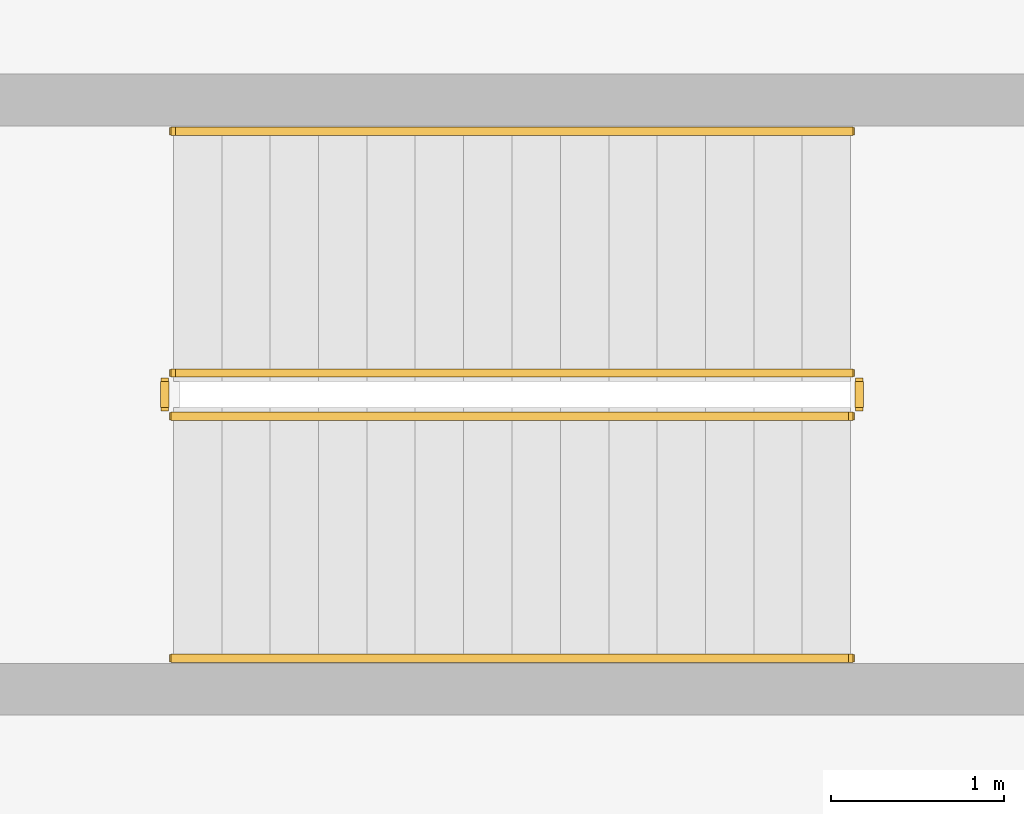
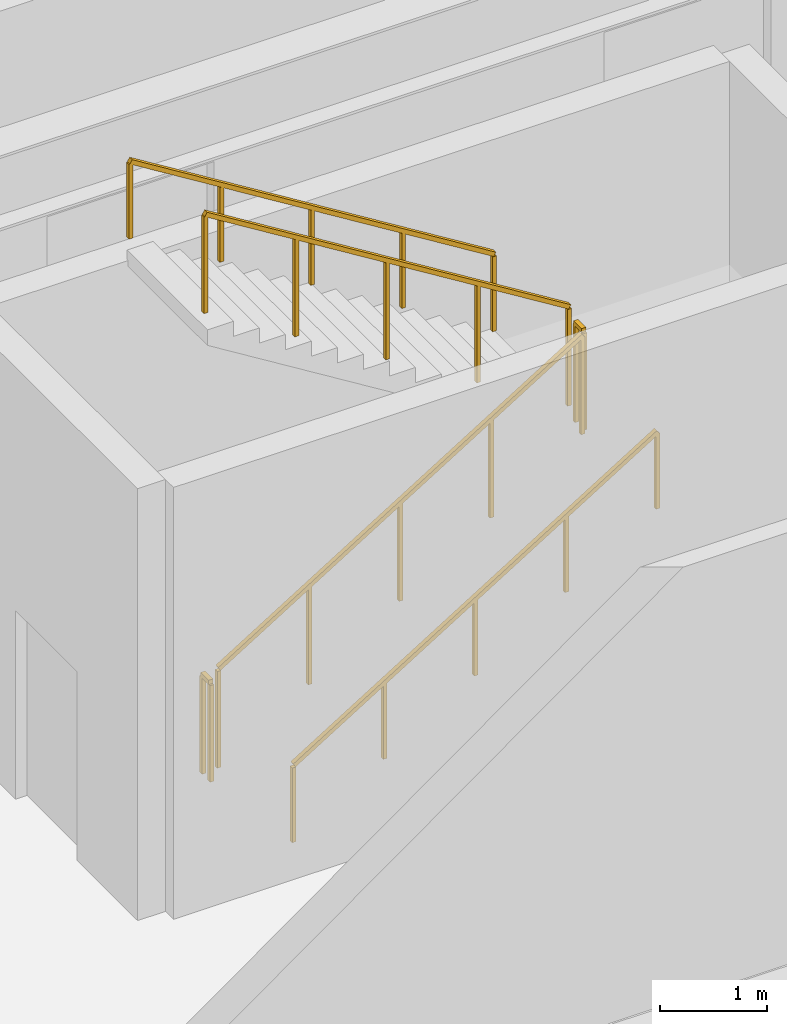
# One storey, part 10 of 14: 6 railings.
"""IFC4 building model written with IfcOpenShell, lengths in metres."""

from ifc_helpers import new_model, si_unit, direction, frame, origin, origin_2d, place, context, subcontext, project, spatial, rectangle, extrude, material, type_object, element, save


model = new_model("IFC4")

# Units and contexts
model_context = context("Model", 3, precision=1e-05, world=origin(), true_north=direction((0.0, 1.0)))
body_context = subcontext(model_context, "Body", "Model", "MODEL_VIEW")
ifc_project = project(units=[si_unit("LENGTHUNIT", "METRE"), si_unit("AREAUNIT", "SQUARE_METRE"), si_unit("VOLUMEUNIT", "CUBIC_METRE"), si_unit("PLANEANGLEUNIT", "RADIAN"), si_unit("MASSUNIT", "GRAM", prefix="KILO")], contexts=[model_context])

# Site, building, storey
site_placement = place(None, origin())
site = spatial("IfcSite", under=ifc_project, at=site_placement, CompositionType="ELEMENT")
building_placement = place(site_placement, origin())
building = spatial("IfcBuilding", under=site, at=building_placement, Name="Mawjaban Terraces University", CompositionType="ELEMENT")
storey_placement = place(building_placement, origin())
storey = spatial("IfcBuildingStorey", under=building, at=storey_placement, Name="L00", CompositionType="ELEMENT", Elevation=0.0)

# Railings
ifc_material_1 = material(Name="Brushed stainless steel 316", Category="steel")
railing_type_1 = type_object("IfcRailingType", Name="StairWallHandrail_900", PredefinedType="HANDRAIL", material=ifc_material_1)
railing_1_placement = place(storey_placement, frame((60.10009765625, 24.64990234375, 0.17333984375)))
element("IfcRailing", 1, at=railing_1_placement, inside=storey, type_object=railing_type_1, Name="L00 ST-5 stair handrail 1", PredefinedType="HANDRAIL", context=body_context, shape_type="SweptSolid", body=[
    extrude(rectangle(XDim=0.048095703125, YDim=0.048095703125, at=origin_2d()), frame((0.0, 0.0, 0.8759765625), z_axis=(0.850251603719, 0.0, 0.526376491091), x_axis=(0.0, 1.0, 0.0)), (0.0, 0.0, 1.0), 4.6103515625),
    extrude(rectangle(XDim=0.0419921875, YDim=0.0419921875, at=origin_2d()), origin(), (0.0, 0.0, 1.0), 0.851806640625),
    extrude(rectangle(XDim=0.0419921875, YDim=0.0419921875, at=origin_2d()), frame((0.97998046875, 0.0, 0.606689453125)), (0.0, 0.0, 1.0), 0.851806640625),
    extrude(rectangle(XDim=0.0419921875, YDim=0.0419921875, at=origin_2d()), frame((1.9599609375, 0.0, 1.21337890625)), (0.0, 0.0, 1.0), 0.851806640625),
    extrude(rectangle(XDim=0.0419921875, YDim=0.0419921875, at=origin_2d()), frame((2.93994140625, 0.0, 1.820068359375)), (0.0, 0.0, 1.0), 0.851806640625),
    extrude(rectangle(XDim=0.0419921875, YDim=0.0419921875, at=origin_2d()), frame((3.919921875, 0.0, 2.4267578125)), (0.0, 0.0, 1.0), 0.851806640625),
])
railing_2_placement = place(storey_placement, frame((64.02001953125, 27.699951171875, 2.7734375)))
element("IfcRailing", 2, at=railing_2_placement, inside=storey, type_object=railing_type_1, Name="L00 ST-5 stair handrail 2", PredefinedType="HANDRAIL", context=body_context, shape_type="SweptSolid", body=[
    extrude(rectangle(XDim=0.048095703125, YDim=0.048095703125, at=origin_2d()), frame((0.0, 0.0, 0.8759765625), z_axis=(-0.850275303828, 0.0, 0.526338206574), x_axis=(0.0, -1.0, 0.0)), (0.0, 0.0, 1.0), 4.610107421875),
    extrude(rectangle(XDim=0.0419921875, YDim=0.0419921875, at=origin_2d()), origin(), (0.0, 0.0, 1.0), 0.851806640625),
    extrude(rectangle(XDim=0.0419921875, YDim=0.0419921875, at=origin_2d()), frame((-0.97998046875, 0.0, 0.606689453125)), (0.0, 0.0, 1.0), 0.851806640625),
    extrude(rectangle(XDim=0.0419921875, YDim=0.0419921875, at=origin_2d()), frame((-1.9599609375, 0.0, 1.21337890625)), (0.0, 0.0, 1.0), 0.851806640625),
    extrude(rectangle(XDim=0.0419921875, YDim=0.0419921875, at=origin_2d()), frame((-2.93994140625, 0.0, 1.81982421875)), (0.0, 0.0, 1.0), 0.851806640625),
    extrude(rectangle(XDim=0.0419921875, YDim=0.0419921875, at=origin_2d()), frame((-3.919921875, 0.0, 2.426513671875)), (0.0, 0.0, 1.0), 0.851806640625),
])
ifc_material_2 = material(Name="Galvanised painted steel S355", Category="steel")
railing_type_2 = type_object("IfcRailingType", Name="StairWellGuard_1150", PredefinedType="BALUSTRADE", material=ifc_material_2)
railing_3_placement = place(storey_placement, frame((60.10009765625, 26.050048828125, 0.17333984375)))
element("IfcRailing", 3, at=railing_3_placement, inside=storey, type_object=railing_type_2, Name="L00 ST-5 stair guard 1", PredefinedType="BALUSTRADE", context=body_context, shape_type="SweptSolid", body=[
    extrude(rectangle(XDim=0.048095703125, YDim=0.048095703125, at=origin_2d()), frame((0.0, 0.0, 1.1259765625), z_axis=(0.850251603719, 0.0, 0.526376491091), x_axis=(0.0, 1.0, 0.0)), (0.0, 0.0, 1.0), 4.6103515625),
    extrude(rectangle(XDim=0.0419921875, YDim=0.0419921875, at=origin_2d()), origin(), (0.0, 0.0, 1.0), 1.101806640625),
    extrude(rectangle(XDim=0.0419921875, YDim=0.0419921875, at=origin_2d()), frame((0.97998046875, 0.0, 0.606689453125)), (0.0, 0.0, 1.0), 1.101806640625),
    extrude(rectangle(XDim=0.0419921875, YDim=0.0419921875, at=origin_2d()), frame((1.9599609375, 0.0, 1.21337890625)), (0.0, 0.0, 1.0), 1.101806640625),
    extrude(rectangle(XDim=0.0419921875, YDim=0.0419921875, at=origin_2d()), frame((2.93994140625, 0.0, 1.820068359375)), (0.0, 0.0, 1.0), 1.101806640625),
    extrude(rectangle(XDim=0.0419921875, YDim=0.0419921875, at=origin_2d()), frame((3.919921875, 0.0, 2.4267578125)), (0.0, 0.0, 1.0), 1.101806640625),
])
railing_4_placement = place(storey_placement, frame((64.070068359375, 26.10009765625, 2.60009765625)))
element("IfcRailing", 4, at=railing_4_placement, inside=storey, type_object=railing_type_2, Name="L00 ST-5 stair guard 2", PredefinedType="BALUSTRADE", context=body_context, shape_type="SweptSolid", body=[
    extrude(rectangle(XDim=0.048095703125, YDim=0.048095703125, at=origin_2d()), frame((0.0, 0.0, 1.1259765625), z_axis=(0.0, 1.0, 0.0), x_axis=(-1.0, 0.0, 0.0)), (0.0, 0.0, 1.0), 0.14990234375),
    extrude(rectangle(XDim=0.0419921875, YDim=0.0419921875, at=origin_2d()), origin(), (0.0, 0.0, 1.0), 1.101806640625),
    extrude(rectangle(XDim=0.0419921875, YDim=0.0419921875, at=origin_2d()), frame((0.0, 0.14990234375, 0.0)), (0.0, 0.0, 1.0), 1.101806640625),
])
railing_5_placement = place(storey_placement, frame((64.02001953125, 26.300048828125, 2.7734375)))
element("IfcRailing", 5, at=railing_5_placement, inside=storey, type_object=railing_type_2, Name="L00 ST-5 stair guard 3", PredefinedType="BALUSTRADE", context=body_context, shape_type="SweptSolid", body=[
    extrude(rectangle(XDim=0.048095703125, YDim=0.048095703125, at=origin_2d()), frame((0.0, 0.0, 1.1259765625), z_axis=(-0.850275303828, 0.0, 0.526338206574), x_axis=(0.0, -1.0, 0.0)), (0.0, 0.0, 1.0), 4.610107421875),
    extrude(rectangle(XDim=0.0419921875, YDim=0.0419921875, at=origin_2d()), origin(), (0.0, 0.0, 1.0), 1.101806640625),
    extrude(rectangle(XDim=0.0419921875, YDim=0.0419921875, at=origin_2d()), frame((-0.97998046875, 0.0, 0.606689453125)), (0.0, 0.0, 1.0), 1.101806640625),
    extrude(rectangle(XDim=0.0419921875, YDim=0.0419921875, at=origin_2d()), frame((-1.9599609375, 0.0, 1.21337890625)), (0.0, 0.0, 1.0), 1.101806640625),
    extrude(rectangle(XDim=0.0419921875, YDim=0.0419921875, at=origin_2d()), frame((-2.93994140625, 0.0, 1.81982421875)), (0.0, 0.0, 1.0), 1.101806640625),
    extrude(rectangle(XDim=0.0419921875, YDim=0.0419921875, at=origin_2d()), frame((-3.919921875, 0.0, 2.426513671875)), (0.0, 0.0, 1.0), 1.101806640625),
])
railing_6_placement = place(storey_placement, frame((60.050048828125, 26.10009765625, 0.0)))
element("IfcRailing", 6, at=railing_6_placement, inside=storey, type_object=railing_type_2, Name="L00 ST-5 stair guard 4", PredefinedType="BALUSTRADE", context=body_context, shape_type="SweptSolid", body=[
    extrude(rectangle(XDim=0.048095703125, YDim=0.048095703125, at=origin_2d()), frame((0.0, 0.0, 1.1259765625), z_axis=(0.0, 1.0, 0.0), x_axis=(-1.0, 0.0, 0.0)), (0.0, 0.0, 1.0), 0.14990234375),
    extrude(rectangle(XDim=0.0419921875, YDim=0.0419921875, at=origin_2d()), origin(), (0.0, 0.0, 1.0), 1.101806640625),
    extrude(rectangle(XDim=0.0419921875, YDim=0.0419921875, at=origin_2d()), frame((0.0, 0.14990234375, 0.0)), (0.0, 0.0, 1.0), 1.101806640625),
])

save(model, "model.ifc")
